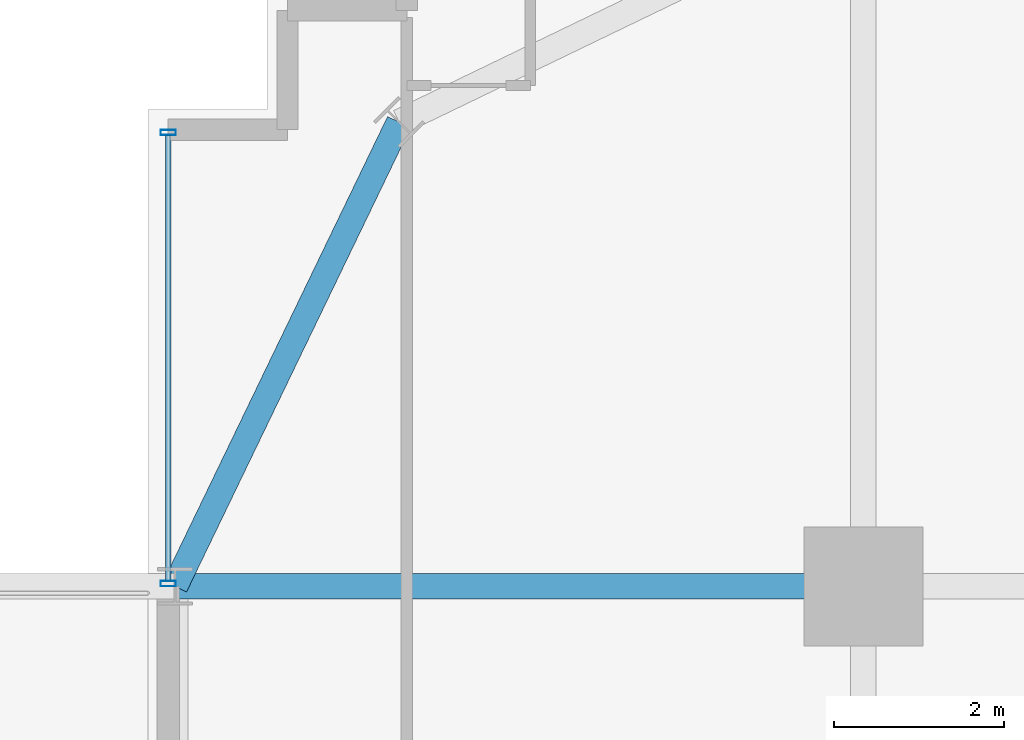
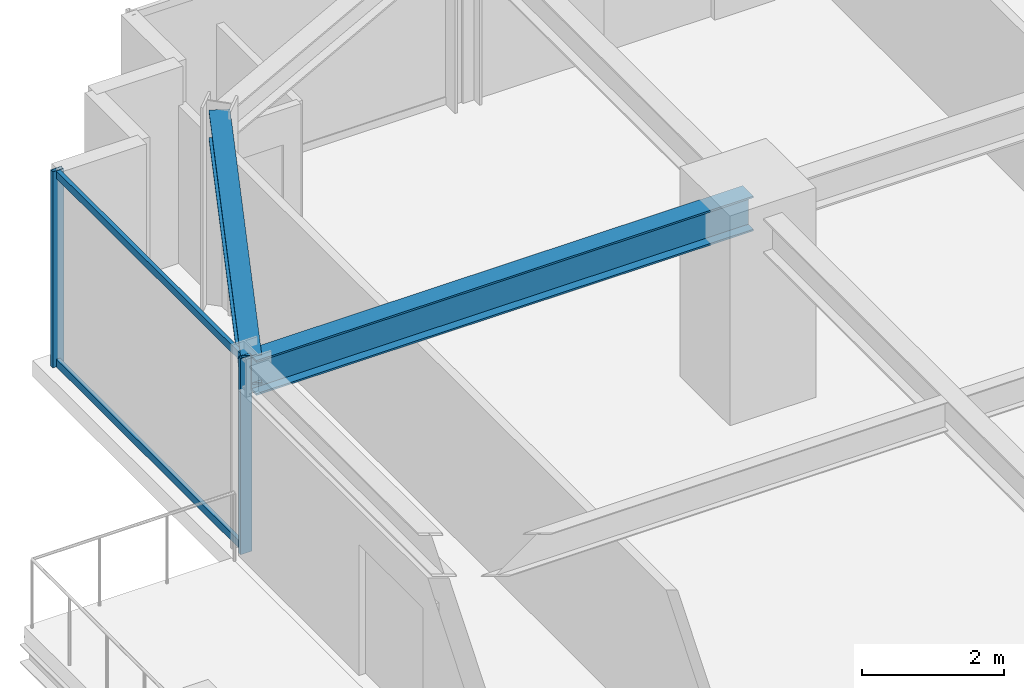
# One storey, part 20 of 36: 4 members, 2 beams, 1 element without a shape of its own.
"""IFC4 building model written with IfcOpenShell, lengths in metres."""

from ifc_helpers import new_model, si_unit, direction, frame, origin, origin_2d, place, context, subcontext, project, spatial, hollow_rectangle, i_section, extrude, source, transform, mapped, material, material_profile, profile_set, type_object, element, aggregate, save


model = new_model("IFC4")

# Units and contexts
model_context = context("Model", 3, precision=1e-05, world=origin(), true_north=direction((0.0, 1.0)))
body_context = subcontext(model_context, "Body", "Model", "MODEL_VIEW")
ifc_project = project(units=[si_unit("LENGTHUNIT", "METRE"), si_unit("AREAUNIT", "SQUARE_METRE"), si_unit("VOLUMEUNIT", "CUBIC_METRE"), si_unit("PLANEANGLEUNIT", "RADIAN"), si_unit("MASSUNIT", "GRAM", prefix="KILO")], contexts=[model_context])

# Site, building, storey
site_placement = place(None, origin())
site = spatial("IfcSite", under=ifc_project, at=site_placement, CompositionType="ELEMENT")
building_placement = place(site_placement, origin())
building = spatial("IfcBuilding", under=site, at=building_placement, Name="Nahalor Promenade Grand Hotel", CompositionType="ELEMENT")
storey_placement = place(building_placement, frame((0.0, 0.0, 76.199951171875)))
storey = spatial("IfcBuildingStorey", under=building, at=storey_placement, Name="L18", CompositionType="ELEMENT", Elevation=76.199951171875)

# Beams
ifc_material_1 = material(Name="Steel S355JR", Category="steel")
ifc_material_profile_1 = material_profile(ifc_material_1, i_section(OverallWidth=0.3, OverallDepth=0.6, WebThickness=0.0155, FlangeThickness=0.03, at=origin_2d()), Name="HEB 600")
ifc_profile_set_1 = profile_set([ifc_material_profile_1], Name="Steel S355JR")
beam_type_1 = type_object("IfcBeamType", Name="Beam-Girder-HEB600", PredefinedType="BEAM", material=ifc_profile_set_1)
shared_shape_1 = source(origin(), body_context, "Body", "SweptSolid", [
    extrude(i_section(OverallWidth=0.3, OverallDepth=0.6, WebThickness=0.0155, FlangeThickness=0.03, at=origin_2d()), origin(), (0.0, 0.0, 1.0), 8.080078125),
])
beam_1_placement = place(storey_placement, frame((-25.080078125, 17.0, 3.070068359375), z_axis=(1.0, 0.0, 0.0), x_axis=(0.0, 1.0, 0.0)))
element("IfcBeam", 1, at=beam_1_placement, inside=storey, type_object=beam_type_1, Name="BM-L18-GX-3-0", PredefinedType="BEAM", context=body_context, shape_type="MappedRepresentation", body=[
    mapped(shared_shape_1, transform((0.0, 0.0, 0.0), scale=1.0)),
])
ifc_material_profile_2 = material_profile(ifc_material_1, i_section(OverallWidth=0.3, OverallDepth=0.5, WebThickness=0.0145, FlangeThickness=0.028, at=origin_2d()), Name="HEB 500")
ifc_profile_set_2 = profile_set([ifc_material_profile_2], Name="Steel S355JR")
beam_type_2 = type_object("IfcBeamType", Name="Beam-Spandrel-HEB500", PredefinedType="SPANDREL", material=ifc_profile_set_2)
shared_shape_2 = source(origin(), body_context, "Body", "SweptSolid", [
    extrude(i_section(OverallWidth=0.3, OverallDepth=0.5, WebThickness=0.0145, FlangeThickness=0.028, at=origin_2d()), origin(), (0.0, 0.0, 1.0), 6.051513671875),
])
beam_2_placement = place(storey_placement, frame((-22.449951171875, 22.449951171875, 3.1201171875), z_axis=(-0.434630596492, -0.900608818852, 0.0), x_axis=(0.900608818852, -0.434630596492, 0.0)))
element("IfcBeam", 2, at=beam_2_placement, inside=storey, type_object=beam_type_2, Name="BM-L18-SPC-NW-2", PredefinedType="SPANDREL", context=body_context, shape_type="MappedRepresentation", body=[
    mapped(shared_shape_2, transform((0.0, 0.0, 0.0), scale=1.0)),
])

# Curtain wall, members
ifc_material_2 = material(Name="Anodised Bronze Aluminium EN AW-6063 T6", Category="aluminium")
curtain_wall_type = type_object("IfcCurtainWallType", Name="CW2 Typical Hotel Flush Bronze Unitised Curtain Wall", PredefinedType="USERDEFINED", material=ifc_material_2)
curtain_wall_placement = place(storey_placement, origin())
curtain_wall = element("IfcCurtainWall", 3, at=curtain_wall_placement, inside=storey, type_object=curtain_wall_type, Name="L18 Curtain Wall CW-L18-W-3", ObjectType="UNITISED_CURTAIN_WALL", PredefinedType="USERDEFINED")
ifc_material_profile_3 = material_profile(ifc_material_2, hollow_rectangle(XDim=0.065, YDim=0.18, WallThickness=0.004, at=origin_2d()), Name="CWM 65x180x4")
ifc_profile_set_3 = profile_set([ifc_material_profile_3], Name="Anodised Bronze Aluminium EN AW-6063 T6")
member_type_1 = type_object("IfcMemberType", Name="CWM2 Typical Bronze Mullion 65x180", PredefinedType="MULLION", material=ifc_profile_set_3)
shared_shape_3 = source(origin(), body_context, "Body", "SweptSolid", [
    extrude(hollow_rectangle(XDim=0.065, YDim=0.18, WallThickness=0.004, at=origin_2d()), origin(), (0.0, 0.0, 1.0), 3.3701171875),
])
member_1_placement = place(storey_placement, frame((-25.159912109375, 17.032470703125, 0.0), z_axis=(0.0, 0.0, 1.0), x_axis=(0.0, 1.0, 0.0)))
member_1 = element("IfcMember", 4, at=member_1_placement, type_object=member_type_1, Name="CW-L18-W-3 Mullion 0", PredefinedType="MULLION", context=body_context, shape_type="MappedRepresentation", body=[
    mapped(shared_shape_3, transform((0.0, 0.0, 0.0), scale=1.0)),
])
member_2_placement = place(storey_placement, frame((-25.159912109375, 22.327392578125, 0.0), z_axis=(0.0, 0.0, 1.0), x_axis=(0.0, 1.0, 0.0)))
member_2 = element("IfcMember", 5, at=member_2_placement, type_object=member_type_1, Name="CW-L18-W-3 Mullion 1", PredefinedType="MULLION", context=body_context, shape_type="MappedRepresentation", body=[
    mapped(shared_shape_3, transform((0.0, 0.0, 0.0), scale=1.0)),
])
ifc_material_profile_4 = material_profile(ifc_material_2, hollow_rectangle(XDim=0.065, YDim=0.13, WallThickness=0.004, at=origin_2d()), Name="CWT 65x130x4")
ifc_profile_set_4 = profile_set([ifc_material_profile_4], Name="Anodised Bronze Aluminium EN AW-6063 T6")
member_type_2 = type_object("IfcMemberType", Name="CWT2 Typical Bronze Transom 65x130", PredefinedType="USERDEFINED", material=ifc_profile_set_4)
shared_shape_4 = source(origin(), body_context, "Body", "SweptSolid", [
    extrude(hollow_rectangle(XDim=0.065, YDim=0.13, WallThickness=0.004, at=origin_2d()), origin(), (0.0, 0.0, 1.0), 5.22998046875),
])
member_3_placement = place(storey_placement, frame((-25.159912109375, 17.06494140625, 0.06494140625), z_axis=(0.0, 1.0, 0.0), x_axis=(-1.0, 0.0, 0.0)))
member_3 = element("IfcMember", 6, at=member_3_placement, type_object=member_type_2, Name="CW-L18-W-3 Transom 0-0", ObjectType="TRANSOM", PredefinedType="USERDEFINED", context=body_context, shape_type="MappedRepresentation", body=[
    mapped(shared_shape_4, transform((0.0, 0.0, 0.0), scale=1.0)),
])
member_4_placement = place(storey_placement, frame((-25.159912109375, 17.06494140625, 3.304931640625), z_axis=(0.0, 1.0, 0.0), x_axis=(-1.0, 0.0, 0.0)))
member_4 = element("IfcMember", 7, at=member_4_placement, type_object=member_type_2, Name="CW-L18-W-3 Transom 0-1", ObjectType="TRANSOM", PredefinedType="USERDEFINED", context=body_context, shape_type="MappedRepresentation", body=[
    mapped(shared_shape_4, transform((0.0, 0.0, 0.0), scale=1.0)),
])
aggregate(curtain_wall, [member_1, member_2, member_3, member_4])

save(model, "model.ifc")
